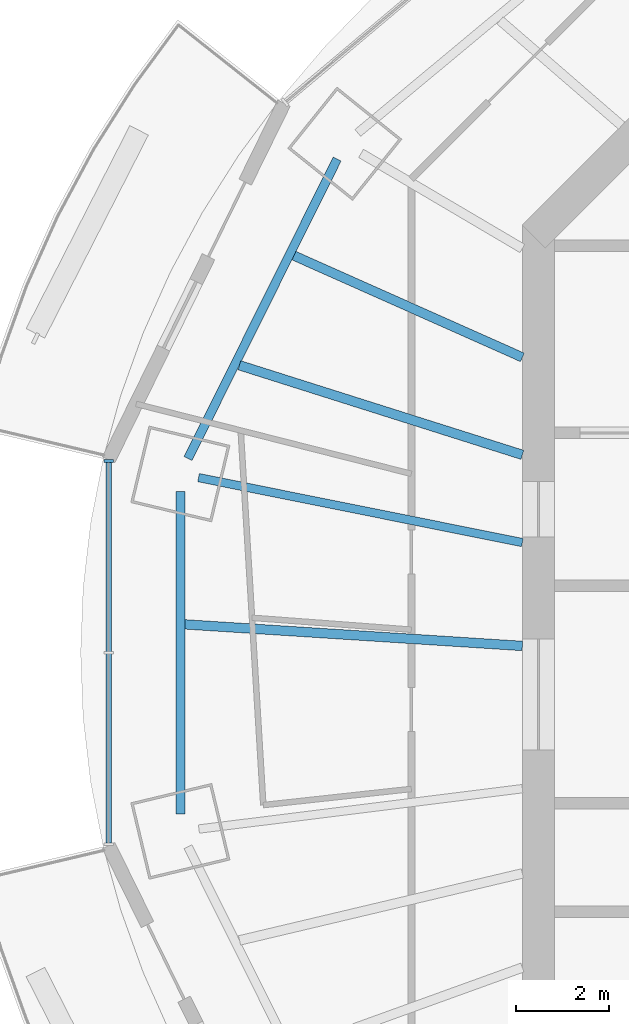
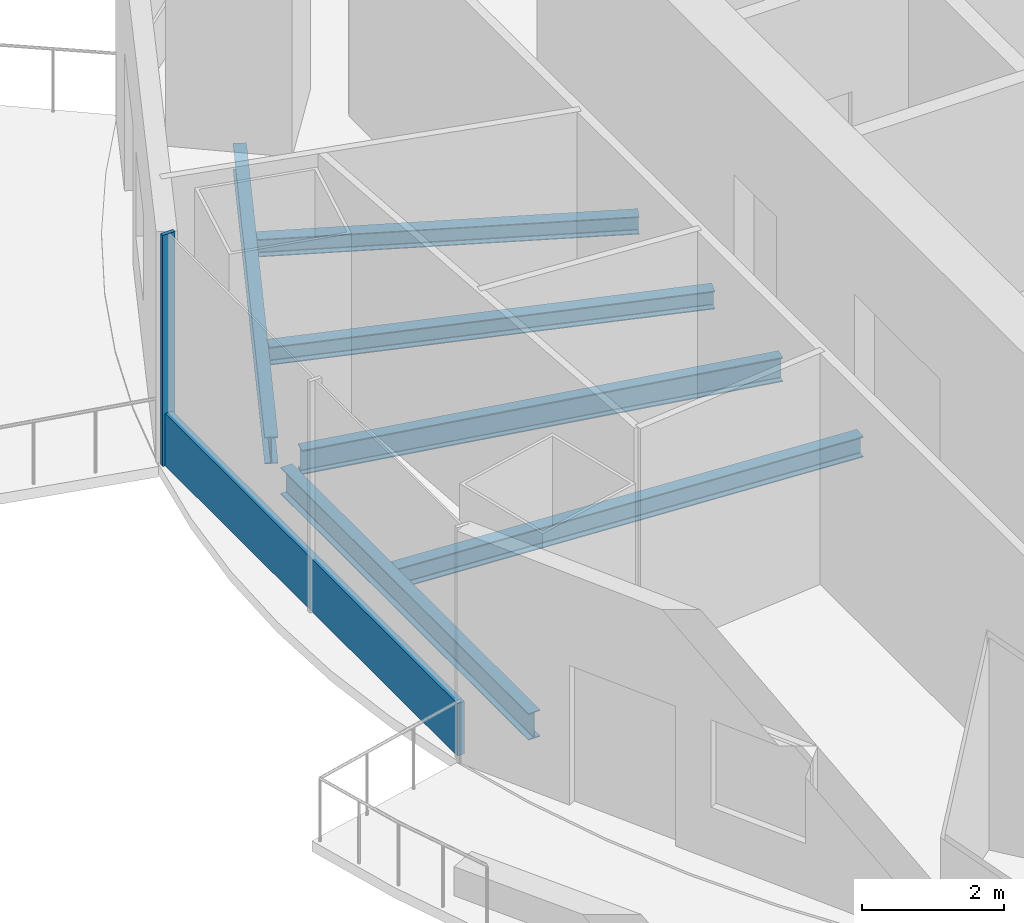
# One storey, part 3 of 15: 6 beams, 2 members, 1 element without a shape of its own.
"""IFC4 building model written with IfcOpenShell, lengths in metres."""

import ifcopenshell
import ifcopenshell.guid

model = None  # the IFC model being written
_history = None  # IfcOwnerHistory: only IFC2X3 demands one
_inside = {}  # id of a spatial element -> (the spatial element, [elements in it])
_under = {}  # id of a project, library or spatial element -> (it, [spatial elements below it])
_declared = {}  # id of a project -> (the project, [libraries it declares])
_typed = {}  # id of a type object -> (the type object, [elements of that type])
_made_of = {}  # id of a material, layer set ... -> (it, [elements and type objects made of it])


def new_model(schema):
    """Start an empty IFC model of exactly this schema.

    Asked for "IFC4X3", IfcOpenShell would pick the latest addendum, in which some entities
    have other attributes; the version numbers below select the first issue.
    IFC2X3 requires an IfcOwnerHistory on every rooted entity: one is made here for all.
    """
    global model, _history
    if schema == "IFC4X3":
        model = ifcopenshell.file(schema_version=(4, 3, 0, 0))
    else:
        model = ifcopenshell.file(schema=schema)
    _inside.clear()
    _under.clear()
    _declared.clear()
    _typed.clear()
    _made_of.clear()
    _history = None
    if model.schema == "IFC2X3":
        org = make("IfcOrganization", Name="unknown")
        user = make(
            "IfcPersonAndOrganization",
            ThePerson=make("IfcPerson", FamilyName="unknown"),
            TheOrganization=org,
        )
        app = make(
            "IfcApplication",
            ApplicationDeveloper=org,
            Version="unknown",
            ApplicationFullName="unknown",
            ApplicationIdentifier="unknown",
        )
        _history = make(
            "IfcOwnerHistory",
            OwningUser=user,
            OwningApplication=app,
            ChangeAction="ADDED",
            CreationDate=0,
        )
    return model


def make(cls, **values):
    """One entity of the class cls with the attributes given. An attribute that is None is left unset."""
    return model.create_entity(
        cls, **{name: value for name, value in values.items() if value is not None}
    )


def rooted(cls, **values):
    """An entity with a GlobalId (a new one), such as an element, a storey or a relation."""
    return make(cls, GlobalId=ifcopenshell.guid.new(), OwnerHistory=_history, **values)


def si_unit(unit_type, name, prefix=None):
    """IfcSIUnit, for example si_unit("LENGTHUNIT", "METRE", prefix="MILLI")."""
    return make("IfcSIUnit", UnitType=unit_type, Prefix=prefix, Name=name)


def assignment(units):
    """IfcUnitAssignment: the units of a project."""
    return None if units is None else make("IfcUnitAssignment", Units=units)


def point(xyz):
    """IfcCartesianPoint."""
    return None if xyz is None else make("IfcCartesianPoint", Coordinates=xyz)


def direction(xyz):
    """IfcDirection."""
    return None if xyz is None else make("IfcDirection", DirectionRatios=xyz)


def frame(location, z_axis=None, x_axis=None):
    """IfcAxis2Placement3D, a coordinate frame: its origin and axes. An axis left out is left unset."""
    return make(
        "IfcAxis2Placement3D",
        Location=point(location),
        Axis=direction(z_axis),
        RefDirection=direction(x_axis),
    )


def frame_2d(location, x_axis=None):
    """IfcAxis2Placement2D, a coordinate frame in the plane: its origin and x axis."""
    return make(
        "IfcAxis2Placement2D", Location=point(location), RefDirection=direction(x_axis)
    )


def origin():
    """The frame at (0, 0, 0) with its axes left unset."""
    return frame((0.0, 0.0, 0.0))


def origin_2d():
    """The frame at (0, 0) in the plane with its x axis left unset."""
    return frame_2d((0.0, 0.0))


def place(relative_to, where):
    """IfcLocalPlacement: puts the frame where relative to a parent placement (None: the world)."""
    return make(
        "IfcLocalPlacement", PlacementRelTo=relative_to, RelativePlacement=where
    )


def context(
    kind, dimensions, precision=None, world=None, true_north=None, identifier=None
):
    """IfcGeometricRepresentationContext, for example the 3D "Model" context."""
    return make(
        "IfcGeometricRepresentationContext",
        ContextIdentifier=identifier,
        ContextType=kind,
        CoordinateSpaceDimension=dimensions,
        Precision=precision,
        WorldCoordinateSystem=world,
        TrueNorth=true_north,
    )


def subcontext(parent, identifier, kind, view, scale=None):
    """IfcGeometricRepresentationSubContext, for example "Body" below "Model"."""
    return make(
        "IfcGeometricRepresentationSubContext",
        ContextIdentifier=identifier,
        ContextType=kind,
        ParentContext=parent,
        TargetScale=scale,
        TargetView=view,
    )


def project(units=None, contexts=None):
    """IfcProject with its units and contexts."""
    return rooted(
        "IfcProject",
        Name="project",
        RepresentationContexts=contexts,
        UnitsInContext=assignment(units),
    )


def spatial(cls, under=None, at=None, **own):
    """A site, building, storey or space (cls), placed at a placement, below another one or the project."""
    s = rooted(cls, ObjectPlacement=at, **own)
    if under is not None:
        _under.setdefault(under.id(), (under, []))[1].append(s)
    return s


def profile(cls, at=None, kind="AREA", **sizes):
    """A parametric profile (cls). Its sizes go by their IFC names, for example OverallWidth=200.0."""
    return make(cls, ProfileType=kind, Position=at, **sizes)


def rectangle(**sizes):
    """IfcRectangleProfileDef."""
    return profile("IfcRectangleProfileDef", **sizes)


def i_section(**sizes):
    """IfcIShapeProfileDef."""
    return profile("IfcIShapeProfileDef", **sizes)


def extrude(swept, where, along, depth):
    """IfcExtrudedAreaSolid: the profile swept, set in the frame where, extruded along a direction by depth."""
    return make(
        "IfcExtrudedAreaSolid",
        SweptArea=swept,
        Position=where,
        ExtrudedDirection=direction(along),
        Depth=depth,
    )


def shape(context_of_items, identifier, shape_type, items):
    """IfcShapeRepresentation: the items that make up one representation, for example the "Body"."""
    return make(
        "IfcShapeRepresentation",
        ContextOfItems=context_of_items,
        RepresentationIdentifier=identifier,
        RepresentationType=shape_type,
        Items=items,
    )


def material(Name=None, Category=None):
    """IfcMaterial."""
    return make("IfcMaterial", Name=Name, Category=Category)


def material_profile(
    of_material, cross_section, Name=None, Category=None, Priority=None
):
    """IfcMaterialProfile: a cross section and its material."""
    return make(
        "IfcMaterialProfile",
        Name=Name,
        Material=of_material,
        Profile=cross_section,
        Priority=Priority,
        Category=Category,
    )


def profile_set(profiles, Name=None, composite=None):
    """IfcMaterialProfileSet."""
    return make(
        "IfcMaterialProfileSet",
        Name=Name,
        MaterialProfiles=profiles,
        CompositeProfile=composite,
    )


def made_of(thing, what):
    """Note that an element or type object is made of a material, layer set ...; save() writes the relation."""
    if what is not None:
        _made_of.setdefault(what.id(), (what, []))[1].append(thing)
    return thing


def type_object(cls, material=None, **own):
    """A type object (cls), such as IfcWallType, which elements share."""
    return made_of(rooted(cls, **own), material)


def element(
    cls,
    number,
    at=None,
    inside=None,
    cuts=None,
    type_object=None,
    material=None,
    context=None,
    identifier="Body",
    shape_type=None,
    held_by="IfcProductDefinitionShape",
    body=None,
    shapes=None,
    **own,
):
    """One element of the class cls, such as IfcWall. Its Tag is "e" and its number.

    at: its placement. inside: the storey or other place that contains it. cuts: it is an
    opening in that element (IfcRelVoidsElement). A single representation is given by context,
    identifier, shape_type and body (its items); several are given by shapes. held_by: the class
    of the entity that holds the representations. save() writes the other relations.
    """
    e = rooted(cls, Tag="e%d" % number, ObjectPlacement=at, **own)
    if body is not None:
        shapes = [shape(context, identifier, shape_type, body)]
    if shapes is not None:
        e.Representation = make(held_by, Representations=shapes)
    if inside is not None:
        _inside.setdefault(inside.id(), (inside, []))[1].append(e)
    if cuts is not None:
        rooted(
            "IfcRelVoidsElement", RelatingBuildingElement=cuts, RelatedOpeningElement=e
        )
    if type_object is not None:
        _typed.setdefault(type_object.id(), (type_object, []))[1].append(e)
    return made_of(e, material)


def aggregate(whole, parts):
    """IfcRelAggregates: a whole, such as a stair, and the parts it consists of."""
    return rooted("IfcRelAggregates", RelatingObject=whole, RelatedObjects=parts)


def save(model, path):
    """Write the relations noted so far, then the file.

    IfcRelAggregates (storeys below a building ...), IfcRelContainedInSpatialStructure (elements
    in a storey), IfcRelDefinesByType, IfcRelAssociatesMaterial and IfcRelDeclares: one each for
    every whole, place, type object, material and project.
    """
    for whole, parts in _under.values():
        aggregate(whole, parts)
    for where, things in _inside.values():
        rooted(
            "IfcRelContainedInSpatialStructure",
            RelatedElements=things,
            RelatingStructure=where,
        )
    for kind, things in _typed.values():
        rooted("IfcRelDefinesByType", RelatedObjects=things, RelatingType=kind)
    for what, things in _made_of.values():
        rooted("IfcRelAssociatesMaterial", RelatedObjects=things, RelatingMaterial=what)
    for by, libraries in _declared.values():
        rooted("IfcRelDeclares", RelatingContext=by, RelatedDefinitions=libraries)
    model.write(path)


model = new_model("IFC4")

# Units and contexts
model_context = context("Model", 3, precision=1e-05, world=origin(), true_north=direction((0.0, 1.0)))
body_context = subcontext(model_context, "Body", "Model", "MODEL_VIEW")
ifc_project = project(units=[si_unit("LENGTHUNIT", "METRE"), si_unit("AREAUNIT", "SQUARE_METRE"), si_unit("VOLUMEUNIT", "CUBIC_METRE"), si_unit("PLANEANGLEUNIT", "RADIAN"), si_unit("MASSUNIT", "GRAM", prefix="KILO")], contexts=[model_context])

# Site, building, storey
site_placement = place(None, origin())
site = spatial("IfcSite", under=ifc_project, at=site_placement, CompositionType="ELEMENT")
building_placement = place(site_placement, origin())
building = spatial("IfcBuilding", under=site, at=building_placement, Name="Marenthal Gate Tower", CompositionType="ELEMENT")
storey_placement = place(building_placement, frame((0.0, 0.0, 388.25)))
storey = spatial("IfcBuildingStorey", under=building, at=storey_placement, Name="L88", CompositionType="ELEMENT", Elevation=388.25)

# Curtain wall, members
ifc_material_1 = material(Name="Aluminium and glass", Category="aluminium")
curtain_wall_type = type_object("IfcCurtainWallType", Name="Curtain wall typical high", PredefinedType="NOTDEFINED", material=ifc_material_1)
curtain_wall_placement = place(storey_placement, origin())
curtain_wall = element("IfcCurtainWall", 1, at=curtain_wall_placement, inside=storey, type_object=curtain_wall_type, Name="Curtain wall L88 bay 8", PredefinedType="NOTDEFINED")
ifc_material_2 = material(Name="Aluminium", Category="aluminium")
ifc_material_profile_1 = material_profile(ifc_material_2, rectangle(XDim=0.199951171875, YDim=0.06005859375, at=origin_2d()), Name="60x200 aluminium mullion")
ifc_profile_set_1 = profile_set([ifc_material_profile_1], Name="Aluminium")
member_type_1 = type_object("IfcMemberType", Name="Mullion 60x200 typical high", PredefinedType="MULLION", material=ifc_profile_set_1)
member_1_placement = place(storey_placement, frame((-25.292236328125, 5.041015625, 0.0), z_axis=(0.0, 0.0, 1.0), x_axis=(1.0, 0.0, 0.0)))
member_1 = element("IfcMember", 2, at=member_1_placement, type_object=member_type_1, Name="Mullion L88 bay 8.1", PredefinedType="MULLION", context=body_context, shape_type="SweptSolid", body=[
    extrude(rectangle(XDim=0.199951171875, YDim=0.06005859375, at=origin_2d()), origin(), (0.0, 0.0, 1.0), 3.969970703125),
])
ifc_material_3 = material(Name="Aluminium", Category="aluminium")
ifc_material_profile_2 = material_profile(ifc_material_3, rectangle(XDim=0.1201171875, YDim=0.89990234375, at=origin_2d()), Name="120x900 aluminium transom")
ifc_profile_set_2 = profile_set([ifc_material_profile_2], Name="Aluminium")
member_type_2 = type_object("IfcMemberType", Name="Transom 120x900 typical high", PredefinedType="USERDEFINED", material=ifc_profile_set_2)
member_2_placement = place(storey_placement, frame((-25.292236328125, 5.010986328125, 0.449951171875), z_axis=(0.0, -1.0, 0.0), x_axis=(1.0, 0.0, 0.0)))
member_2 = element("IfcMember", 3, at=member_2_placement, type_object=member_type_2, Name="Transom L88 bay 8", ObjectType="TRANSOM", PredefinedType="USERDEFINED", context=body_context, shape_type="SweptSolid", body=[
    extrude(rectangle(XDim=0.1201171875, YDim=0.89990234375, at=origin_2d()), origin(), (0.0, 0.0, 1.0), 8.221923828125),
])
aggregate(curtain_wall, [member_1, member_2])

# Beams
ifc_material_4 = material(Name="Steel S355", Category="steel")
ifc_material_profile_3 = material_profile(ifc_material_4, i_section(OverallWidth=0.202880859375, OverallDepth=0.302001953125, WebThickness=0.007568359375, FlangeThickness=0.01318359375, FilletRadius=0.0126953125, at=origin_2d()), Name="W310X60")
ifc_profile_set_3 = profile_set([ifc_material_profile_3], Name="Steel S355")
beam_type_1 = type_object("IfcBeamType", Name="W310X60 beam", PredefinedType="BEAM", material=ifc_profile_set_3)
beam_1_placement = place(storey_placement, frame((-21.2861328125, 9.482177734375, -0.3310546875), z_axis=(0.913455344752, -0.406938979631, 0.0), x_axis=(0.406938979631, 0.913455344752, 0.0)))
element("IfcBeam", 4, at=beam_1_placement, inside=storey, type_object=beam_type_1, Name="BM-L88-25", PredefinedType="BEAM", context=body_context, shape_type="SweptSolid", body=[
    extrude(i_section(OverallWidth=0.202880859375, OverallDepth=0.302001953125, WebThickness=0.007568359375, FlangeThickness=0.01318359375, FilletRadius=0.0126953125, at=origin_2d()), origin(), (0.0, 0.0, 1.0), 5.40380859375),
])
ifc_material_5 = material(Name="Steel S355", Category="steel")
ifc_material_profile_4 = material_profile(ifc_material_5, i_section(OverallWidth=0.205078125, OverallDepth=0.31005859375, WebThickness=0.009521484375, FlangeThickness=0.016357421875, FilletRadius=0.0126953125, at=origin_2d()), Name="W310X74")
ifc_profile_set_4 = profile_set([ifc_material_profile_4], Name="Steel S355")
beam_type_2 = type_object("IfcBeamType", Name="W310X74 beam", PredefinedType="BEAM", material=ifc_profile_set_4)
beam_2_placement = place(storey_placement, frame((-22.466064453125, 7.11279296875, -0.3349609375), z_axis=(0.953362121218, -0.301828868444, 0.0), x_axis=(0.301828868444, 0.953362121218, 0.0)))
element("IfcBeam", 5, at=beam_2_placement, inside=storey, type_object=beam_type_2, Name="BM-L88-26", PredefinedType="BEAM", context=body_context, shape_type="SweptSolid", body=[
    extrude(i_section(OverallWidth=0.205078125, OverallDepth=0.31005859375, WebThickness=0.009521484375, FlangeThickness=0.016357421875, FilletRadius=0.0126953125, at=origin_2d()), origin(), (0.0, 0.0, 1.0), 6.4150390625),
])
ifc_material_6 = material(Name="Steel S355", Category="steel")
ifc_material_profile_5 = material_profile(ifc_material_6, i_section(OverallWidth=0.205078125, OverallDepth=0.35302734375, WebThickness=0.009521484375, FlangeThickness=0.016845703125, FilletRadius=0.014892578125, at=origin_2d()), Name="W360X79")
ifc_profile_set_5 = profile_set([ifc_material_profile_5], Name="Steel S355")
beam_type_3 = type_object("IfcBeamType", Name="W360X79 beam", PredefinedType="BEAM", material=ifc_profile_set_5)
beam_3_placement = place(storey_placement, frame((-23.647216796875, 1.511962890625, -0.3564453125), z_axis=(0.997962303088, -0.06380628195, 0.0), x_axis=(0.06380628195, 0.997962303088, 0.0)))
element("IfcBeam", 6, at=beam_3_placement, inside=storey, type_object=beam_type_3, Name="BM-L88-27", PredefinedType="BEAM", context=body_context, shape_type="SweptSolid", body=[
    extrude(i_section(OverallWidth=0.205078125, OverallDepth=0.35302734375, WebThickness=0.009521484375, FlangeThickness=0.016845703125, FilletRadius=0.014892578125, at=origin_2d()), origin(), (0.0, 0.0, 1.0), 7.31201171875),
])
ifc_material_7 = material(Name="Steel S355", Category="steel")
ifc_material_profile_6 = material_profile(ifc_material_7, i_section(OverallWidth=0.180908203125, OverallDepth=0.4169921875, WebThickness=0.010986328125, FlangeThickness=0.018310546875, FilletRadius=0.01025390625, at=origin_2d()), Name="W410X85")
ifc_profile_set_6 = profile_set([ifc_material_profile_6], Name="Steel S355")
beam_type_4 = type_object("IfcBeamType", Name="W410X85 beam", PredefinedType="BEAM", material=ifc_profile_set_6)
beam_4_placement = place(storey_placement, frame((-23.349853515625, 4.68408203125, -0.388427734375), z_axis=(0.980463441902, -0.196701395759, 0.0), x_axis=(0.196701395759, 0.980463441902, 0.0)))
element("IfcBeam", 7, at=beam_4_placement, inside=storey, type_object=beam_type_4, Name="BM-L88-08", PredefinedType="BEAM", context=body_context, shape_type="SweptSolid", body=[
    extrude(i_section(OverallWidth=0.180908203125, OverallDepth=0.4169921875, WebThickness=0.010986328125, FlangeThickness=0.018310546875, FilletRadius=0.01025390625, at=origin_2d()), origin(), (0.0, 0.0, 1.0), 7.13916015625),
])
ifc_material_8 = material(Name="Steel S355", Category="steel")
ifc_material_profile_7 = material_profile(ifc_material_8, i_section(OverallWidth=0.19091796875, OverallDepth=0.45703125, WebThickness=0.009033203125, FlangeThickness=0.014404296875, FilletRadius=0.01025390625, at=origin_2d()), Name="W460X74")
ifc_profile_set_7 = profile_set([ifc_material_profile_7], Name="Steel S355")
beam_type_5 = type_object("IfcBeamType", Name="W460X74 beam", PredefinedType="BEAM", material=ifc_profile_set_7)
beam_5_placement = place(storey_placement, frame((-20.35400390625, 11.569091796875, -0.408447265625), z_axis=(-0.445686804831, -0.895188958824, 0.0), x_axis=(0.895188958824, -0.445686804831, 0.0)))
element("IfcBeam", 8, at=beam_5_placement, inside=storey, type_object=beam_type_5, Name="BM-L88-44", PredefinedType="BEAM", context=body_context, shape_type="SweptSolid", body=[
    extrude(i_section(OverallWidth=0.19091796875, OverallDepth=0.45703125, WebThickness=0.009033203125, FlangeThickness=0.014404296875, FilletRadius=0.01025390625, at=origin_2d()), origin(), (0.0, 0.0, 1.0), 7.230712890625),
])
beam_6_placement = place(storey_placement, frame((-23.74267578125, 4.388916015625, -0.408447265625), z_axis=(0.0, -1.0, 0.0), x_axis=(1.0, 0.0, 0.0)))
element("IfcBeam", 9, at=beam_6_placement, inside=storey, type_object=beam_type_5, Name="BM-L88-45", PredefinedType="BEAM", context=body_context, shape_type="SweptSolid", body=[
    extrude(i_section(OverallWidth=0.19091796875, OverallDepth=0.45703125, WebThickness=0.009033203125, FlangeThickness=0.014404296875, FilletRadius=0.01025390625, at=origin_2d()), origin(), (0.0, 0.0, 1.0), 6.977783203125),
])

save(model, "model.ifc")
